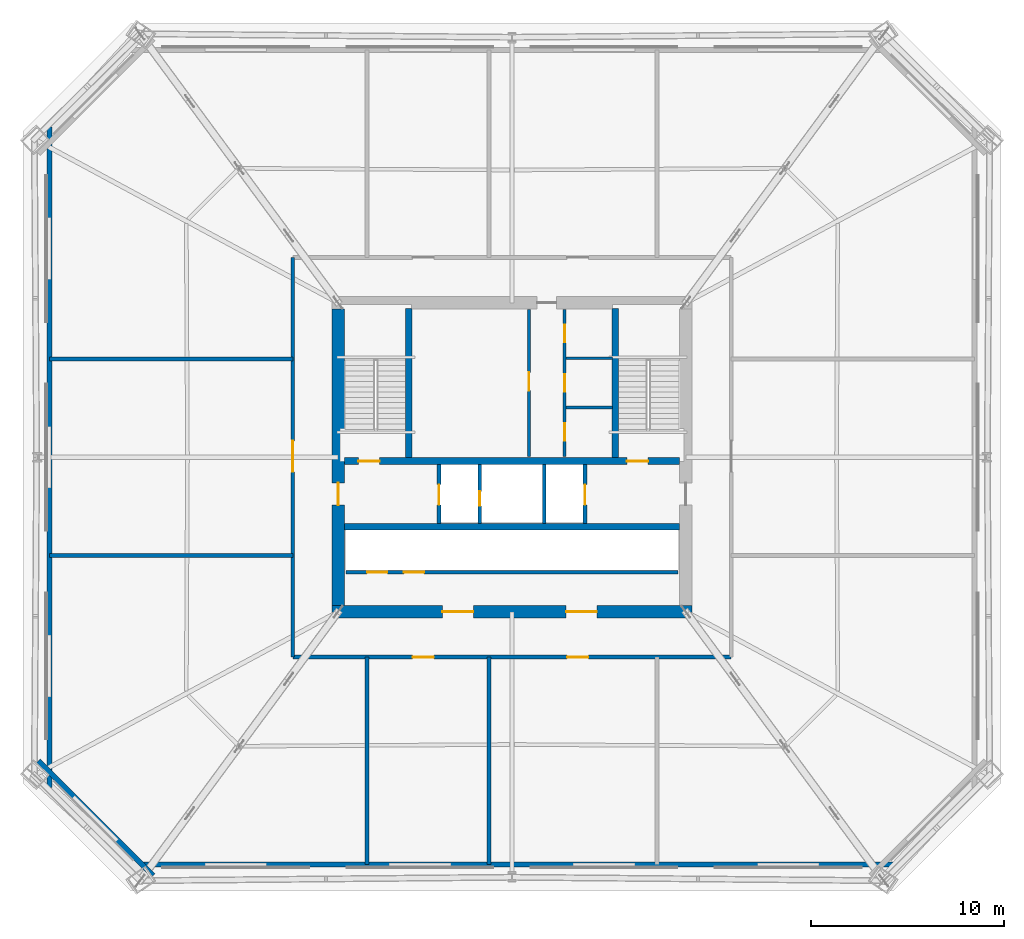
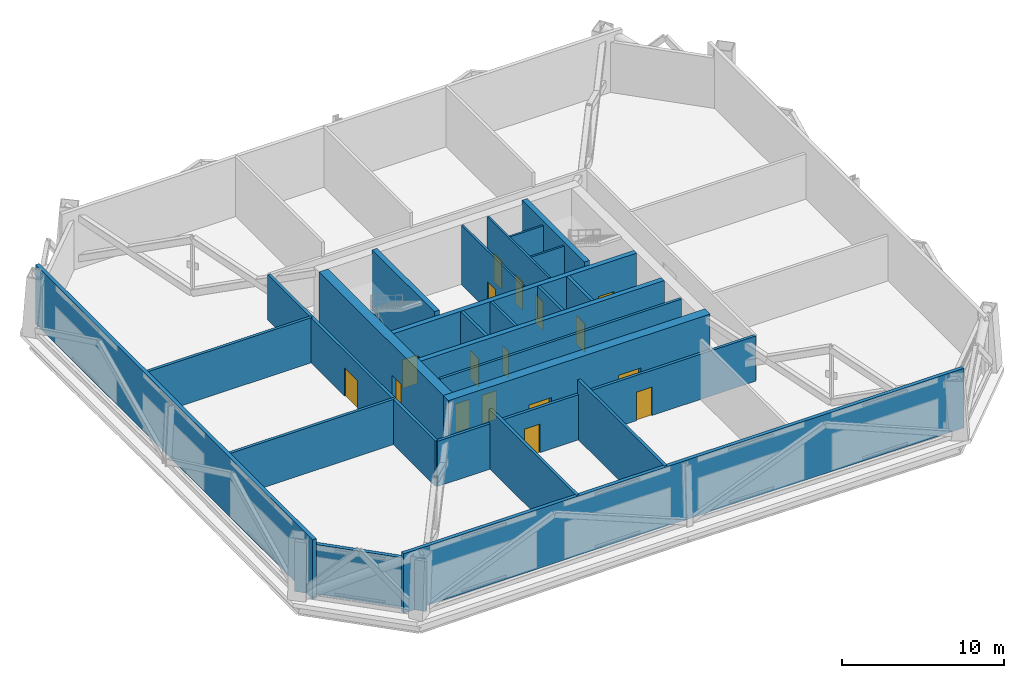
# One storey, part 11 of 14: 24 walls, 17 doors, 17 openings.
"""IFC4 building model written with IfcOpenShell, lengths in metres."""

from ifc_helpers import new_model, si_unit, direction, frame, frame_2d, origin, place, context, subcontext, project, spatial, rectangle, extrude, material, layer, layer_set, type_object, element, fill, save


model = new_model("IFC4")

# Units and contexts
model_context = context("Model", 3, precision=1e-05, world=origin(), true_north=direction((0.0, 1.0)))
body_context = subcontext(model_context, "Body", "Model", "MODEL_VIEW")
ifc_project = project(units=[si_unit("LENGTHUNIT", "METRE"), si_unit("AREAUNIT", "SQUARE_METRE"), si_unit("VOLUMEUNIT", "CUBIC_METRE"), si_unit("PLANEANGLEUNIT", "RADIAN"), si_unit("MASSUNIT", "GRAM", prefix="KILO")], contexts=[model_context])

# Site, building, storey
site_placement = place(None, origin())
site = spatial("IfcSite", under=ifc_project, at=site_placement, CompositionType="ELEMENT")
building_placement = place(site_placement, origin())
building = spatial("IfcBuilding", under=site, at=building_placement, Name="Caelvoria Tower", CompositionType="ELEMENT")
storey_placement = place(building_placement, frame((0.0, 0.0, 85.60009765625)))
storey = spatial("IfcBuildingStorey", under=building, at=storey_placement, Name="L22", CompositionType="ELEMENT", Elevation=85.60009765625)

# Wall, openings, doors
ifc_material_1 = material(Name="Concrete C50/60", Category="concrete")
ifc_layer_1 = layer(ifc_material_1, 0.35009765625, Name="Concrete C50/60")
ifc_layer_set_1 = layer_set([ifc_layer_1], Name="Core Internal Shear Wall 350 - Concrete C50/60")
wall_type_1 = type_object("IfcWallType", Name="Core Internal Shear Wall 350", PredefinedType="SHEAR", material=ifc_layer_set_1)
wall_1_placement = place(storey_placement, frame((37.324951171875, 31.800048828125, 0.0), z_axis=(0.0, 0.0, 1.0), x_axis=(1.0, 0.0, 0.0)))
wall_1 = element("IfcWall", 1, at=wall_1_placement, inside=storey, type_object=wall_type_1, Name="Core Shear Wall L22 M1", PredefinedType="SHEAR", context=body_context, shape_type="SweptSolid", body=[
    extrude(rectangle(XDim=17.35009765625, YDim=0.35009765625, at=frame_2d((8.675048828125, 0.0))), origin(), (0.0, 0.0, 1.0), 4.47998046875),
])
opening_1_placement = place(wall_1_placement, frame((0.72509765625, 0.0, 0.0)))
opening_1 = element("IfcOpeningElement", 2, at=opening_1_placement, cuts=wall_1, Name="Opening ID-01", PredefinedType="OPENING", context=body_context, shape_type="SweptSolid", body=[
    extrude(rectangle(XDim=1.10009765625, YDim=2.14990234375, at=frame_2d((0.550048828125, 1.074951171875))), frame((0.0, 0.18505859375, 0.0), z_axis=(0.0, -1.0, 0.0), x_axis=(1.0, 0.0, 0.0)), (0.0, 0.0, 1.0), 0.3701171875),
])
opening_2_placement = place(wall_1_placement, frame((14.625, 0.0, 0.0)))
opening_2 = element("IfcOpeningElement", 3, at=opening_2_placement, cuts=wall_1, Name="Opening ID-01", PredefinedType="OPENING", context=body_context, shape_type="SweptSolid", body=[
    extrude(rectangle(XDim=1.10009765625, YDim=2.14990234375, at=frame_2d((0.550048828125, 1.074951171875))), frame((0.0, 0.18505859375, 0.0), z_axis=(0.0, -1.0, 0.0), x_axis=(1.0, 0.0, 0.0)), (0.0, 0.0, 1.0), 0.3701171875),
])
ifc_material_2 = material(Name="Painted Hollow Steel Fire Door", Category="steel")
door_type_1 = type_object("IfcDoorType", Name="Fire Door FD90S 1100x2150", OperationType="NOTDEFINED", PredefinedType="DOOR", material=ifc_material_2)
door_1_placement = place(opening_1_placement, origin())
door_1 = element("IfcDoor", 4, at=door_1_placement, inside=storey, type_object=door_type_1, Name="Core Door DR-L22-ST1", OperationType="SINGLE_SWING_LEFT", OverallHeight=2.14990234375, OverallWidth=1.10009765625, PredefinedType="DOOR", context=body_context, shape_type="SweptSolid", body=[
    extrude(rectangle(XDim=1.10009765625, YDim=2.14990234375, at=frame_2d((0.550048828125, 1.074951171875))), frame((0.0, 0.02490234375, 0.0), z_axis=(0.0, -1.0, 0.0), x_axis=(1.0, 0.0, 0.0)), (0.0, 0.0, 1.0), 0.050048828125),
])
fill(opening_1, door_1)
door_2_placement = place(opening_2_placement, origin())
door_2 = element("IfcDoor", 5, at=door_2_placement, inside=storey, type_object=door_type_1, Name="Core Door DR-L22-ST2", OperationType="SINGLE_SWING_RIGHT", OverallHeight=2.14990234375, OverallWidth=1.10009765625, PredefinedType="DOOR", context=body_context, shape_type="SweptSolid", body=[
    extrude(rectangle(XDim=1.10009765625, YDim=2.14990234375, at=frame_2d((0.550048828125, 1.074951171875))), frame((0.0, 0.02490234375, 0.0), z_axis=(0.0, -1.0, 0.0), x_axis=(1.0, 0.0, 0.0)), (0.0, 0.0, 1.0), 0.050048828125),
])
fill(opening_2, door_2)

# Walls
wall_2_placement = place(storey_placement, frame((37.324951171875, 28.39990234375, 0.0), z_axis=(0.0, 0.0, 1.0), x_axis=(1.0, 0.0, 0.0)))
element("IfcWall", 6, at=wall_2_placement, inside=storey, type_object=wall_type_1, Name="Core Shear Wall L22 M2", PredefinedType="SHEAR", context=body_context, shape_type="SweptSolid", body=[
    extrude(rectangle(XDim=17.35009765625, YDim=0.35009765625, at=frame_2d((8.675048828125, 0.0))), origin(), (0.0, 0.0, 1.0), 4.47998046875),
])
for number, where, z_axis, x_axis, name in (
    (7, (40.64990234375, 32.0, 0.0), (0.0, 0.0, 1.0), (0.0, 1.0, 0.0), "Interior Partition IW-L22-ST1E"),
    (8, (51.35009765625, 32.0, 0.0), (0.0, 0.0, 1.0), (0.0, 1.0, 0.0), "Interior Partition IW-L22-ST2W"),
):
    element("IfcWall", number, at=place(storey_placement, frame(where, z_axis=z_axis, x_axis=x_axis)), inside=storey, type_object=wall_type_1, Name=name, PredefinedType="SHEAR", context=body_context, shape_type="SweptSolid", body=[
        extrude(rectangle(XDim=7.699951171875, YDim=0.35009765625, at=frame_2d((3.85009765625, 0.0))), origin(), (0.0, 0.0, 1.0), 4.7998046875),
    ])

# Wall, opening, door
ifc_material_3 = material(Name="Moisture-Resistant Gypsum on Steel Stud", Category="steel")
ifc_layer_2 = layer(ifc_material_3, 0.139892578125, Name="Moisture-Resistant Gypsum on Steel Stud")
ifc_layer_set_2 = layer_set([ifc_layer_2], Name="Core Sanitary Acoustic Partition Wall 140 - Moisture-Resistant Gypsum on Steel Stud")
wall_type_2 = type_object("IfcWallType", Name="Core Sanitary Acoustic Partition Wall 140", PredefinedType="PARTITIONING", material=ifc_layer_set_2)
wall_3_placement = place(storey_placement, frame((46.8798828125, 32.050048828125, 0.0), z_axis=(0.0, 0.0, 1.0), x_axis=(0.0, 1.0, 0.0)))
wall_3 = element("IfcWall", 9, at=wall_3_placement, inside=storey, type_object=wall_type_2, Name="Interior Partition IW-L22-C2L", PredefinedType="PARTITIONING", context=body_context, shape_type="SweptSolid", body=[
    extrude(rectangle(XDim=7.599853515625, YDim=0.139892578125, at=frame_2d((3.7998046875, 0.0))), origin(), (0.0, 0.0, 1.0), 4.47998046875),
])
opening_3_placement = place(wall_3_placement, frame((3.39990234375, 0.0, 0.0)))
opening_3 = element("IfcOpeningElement", 10, at=opening_3_placement, cuts=wall_3, Name="Opening ID-05", PredefinedType="OPENING", context=body_context, shape_type="SweptSolid", body=[
    extrude(rectangle(XDim=0.949951171875, YDim=2.14990234375, at=frame_2d((0.47509765625, 1.074951171875))), frame((0.0, 0.079833984375, 0.0), z_axis=(0.0, -1.0, 0.0), x_axis=(1.0, 0.0, 0.0)), (0.0, 0.0, 1.0), 0.159912109375),
])
ifc_material_4 = material(Name="Engineered Andean Oak Veneer Door", Category="wood")
door_type_2 = type_object("IfcDoorType", Name="Interior Timber Door 950x2150", OperationType="NOTDEFINED", PredefinedType="DOOR", material=ifc_material_4)
door_3_placement = place(opening_3_placement, origin())
door_3 = element("IfcDoor", 11, at=door_3_placement, inside=storey, type_object=door_type_2, Name="Interior Door DR-L22-C2W", OperationType="SINGLE_SWING_LEFT", OverallHeight=2.14990234375, OverallWidth=0.949951171875, PredefinedType="DOOR", context=body_context, shape_type="SweptSolid", body=[
    extrude(rectangle(XDim=0.949951171875, YDim=2.14990234375, at=frame_2d((0.47509765625, 1.074951171875))), frame((0.0, 0.02490234375, 0.0), z_axis=(0.0, -1.0, 0.0), x_axis=(1.0, 0.0, 0.0)), (0.0, 0.0, 1.0), 0.050048828125),
])
fill(opening_3, door_3)

# Wall, openings, doors
wall_4_placement = place(storey_placement, frame((48.719970703125, 32.050048828125, 0.0), z_axis=(0.0, 0.0, 1.0), x_axis=(0.0, 1.0, 0.0)))
wall_4 = element("IfcWall", 12, at=wall_4_placement, inside=storey, type_object=wall_type_2, Name="Interior Partition IW-L22-C2R", PredefinedType="PARTITIONING", context=body_context, shape_type="SweptSolid", body=[
    extrude(rectangle(XDim=7.599853515625, YDim=0.139892578125, at=frame_2d((3.7998046875, 0.0))), origin(), (0.0, 0.0, 1.0), 4.47998046875),
])
opening_4_placement = place(wall_4_placement, frame((0.800048828125, 0.0, 0.0)))
opening_4 = element("IfcOpeningElement", 13, at=opening_4_placement, cuts=wall_4, Name="Opening ID-04", PredefinedType="OPENING", context=body_context, shape_type="SweptSolid", body=[
    extrude(rectangle(XDim=0.89990234375, YDim=2.14990234375, at=frame_2d((0.449951171875, 1.074951171875))), frame((0.0, 0.079833984375, 0.0), z_axis=(0.0, -1.0, 0.0), x_axis=(1.0, 0.0, 0.0)), (0.0, 0.0, 1.0), 0.159912109375),
])
opening_5_placement = place(wall_4_placement, frame((3.35009765625, 0.0, 0.0)))
opening_5 = element("IfcOpeningElement", 14, at=opening_5_placement, cuts=wall_4, Name="Opening ID-06", PredefinedType="OPENING", context=body_context, shape_type="SweptSolid", body=[
    extrude(rectangle(XDim=0.89990234375, YDim=2.14990234375, at=frame_2d((0.449951171875, 1.074951171875))), frame((0.0, 0.079833984375, 0.0), z_axis=(0.0, -1.0, 0.0), x_axis=(1.0, 0.0, 0.0)), (0.0, 0.0, 1.0), 0.159912109375),
])
opening_6_placement = place(wall_4_placement, frame((5.89990234375, 0.0, 0.0)))
opening_6 = element("IfcOpeningElement", 15, at=opening_6_placement, cuts=wall_4, Name="Opening ID-07", PredefinedType="OPENING", context=body_context, shape_type="SweptSolid", body=[
    extrude(rectangle(XDim=0.919921875, YDim=2.14990234375, at=frame_2d((0.4599609375, 1.074951171875))), frame((0.0, 0.079833984375, 0.0), z_axis=(0.0, -1.0, 0.0), x_axis=(1.0, 0.0, 0.0)), (0.0, 0.0, 1.0), 0.159912109375),
])
ifc_material_5 = material(Name="Engineered Andean Oak Accessible Door", Category="wood")
door_type_3 = type_object("IfcDoorType", Name="Accessible WC Door 950x2150", OperationType="NOTDEFINED", PredefinedType="DOOR", material=ifc_material_5)
door_4_placement = place(opening_6_placement, origin())
door_4 = element("IfcDoor", 16, at=door_4_placement, inside=storey, type_object=door_type_3, Name="Interior Door DR-L22-C2E3", OperationType="SINGLE_SWING_RIGHT", OverallHeight=2.14990234375, OverallWidth=0.919921875, PredefinedType="DOOR", context=body_context, shape_type="SweptSolid", body=[
    extrude(rectangle(XDim=0.919921875, YDim=2.14990234375, at=frame_2d((0.4599609375, 1.074951171875))), frame((0.0, 0.02490234375, 0.0), z_axis=(0.0, -1.0, 0.0), x_axis=(1.0, 0.0, 0.0)), (0.0, 0.0, 1.0), 0.050048828125),
])
fill(opening_6, door_4)
ifc_material_6 = material(Name="Acoustic Timber Fire Door", Category="wood")
door_type_4 = type_object("IfcDoorType", Name="Fire Door FD30S 900x2150", OperationType="NOTDEFINED", PredefinedType="DOOR", material=ifc_material_6)
door_5_placement = place(opening_4_placement, origin())
door_5 = element("IfcDoor", 17, at=door_5_placement, inside=storey, type_object=door_type_4, Name="Interior Door DR-L22-C2E1", OperationType="SINGLE_SWING_RIGHT", OverallHeight=2.14990234375, OverallWidth=0.89990234375, PredefinedType="DOOR", context=body_context, shape_type="SweptSolid", body=[
    extrude(rectangle(XDim=0.89990234375, YDim=2.14990234375, at=frame_2d((0.449951171875, 1.074951171875))), frame((0.0, 0.02490234375, 0.0), z_axis=(0.0, -1.0, 0.0), x_axis=(1.0, 0.0, 0.0)), (0.0, 0.0, 1.0), 0.050048828125),
])
fill(opening_4, door_5)
door_type_5 = type_object("IfcDoorType", Name="Interior Timber Door 900x2150", OperationType="NOTDEFINED", PredefinedType="DOOR", material=ifc_material_4)
door_6_placement = place(opening_5_placement, origin())
door_6 = element("IfcDoor", 18, at=door_6_placement, inside=storey, type_object=door_type_5, Name="Interior Door DR-L22-C2E2", OperationType="SINGLE_SWING_LEFT", OverallHeight=2.14990234375, OverallWidth=0.89990234375, PredefinedType="DOOR", context=body_context, shape_type="SweptSolid", body=[
    extrude(rectangle(XDim=0.89990234375, YDim=2.14990234375, at=frame_2d((0.449951171875, 1.074951171875))), frame((0.0, 0.02490234375, 0.0), z_axis=(0.0, -1.0, 0.0), x_axis=(1.0, 0.0, 0.0)), (0.0, 0.0, 1.0), 0.050048828125),
])
fill(opening_5, door_6)

# Walls
for number, where, z_axis, x_axis, name in (
    (19, (48.800048828125, 34.580078125, 0.0), (0.0, 0.0, 1.0), (1.0, 0.0, 0.0), "Interior Partition IW-L22-C2H1"),
    (20, (48.800048828125, 37.1201171875, 0.0), (0.0, 0.0, 1.0), (1.0, 0.0, 0.0), "Interior Partition IW-L22-C2H2"),
):
    element("IfcWall", number, at=place(storey_placement, frame(where, z_axis=z_axis, x_axis=x_axis)), inside=storey, type_object=wall_type_2, Name=name, PredefinedType="PARTITIONING", context=body_context, shape_type="SweptSolid", body=[
        extrude(rectangle(XDim=2.39990234375, YDim=0.139892578125, at=frame_2d((1.199951171875, 0.0))), origin(), (0.0, 0.0, 1.0), 4.47998046875),
    ])

# Wall, opening, door
ifc_material_7 = material(Name="Concrete Block and Fireboard Assembly", Category="concrete")
ifc_layer_3 = layer(ifc_material_7, 0.179931640625, Name="Concrete Block and Fireboard Assembly")
ifc_layer_set_3 = layer_set([ifc_layer_3], Name="Fire-Rated Hoistway Partition Wall 180 - Concrete Block and Fireboard Assembly")
wall_type_3 = type_object("IfcWallType", Name="Fire-Rated Hoistway Partition Wall 180", PredefinedType="PARTITIONING", material=ifc_layer_set_3)
wall_5_placement = place(storey_placement, frame((44.320068359375, 28.580078125, 0.0), z_axis=(0.0, 0.0, 1.0), x_axis=(0.0, 1.0, 0.0)))
wall_5 = element("IfcWall", 21, at=wall_5_placement, inside=storey, type_object=wall_type_3, Name="Interior Partition IW-L22-SV1W", PredefinedType="PARTITIONING", context=body_context, shape_type="SweptSolid", body=[
    extrude(rectangle(XDim=3.0400390625, YDim=0.179931640625, at=frame_2d((1.52001953125, 0.0))), origin(), (0.0, 0.0, 1.0), 4.47998046875),
])
opening_7_placement = place(wall_5_placement, frame((0.89990234375, 0.0, 0.0)))
opening_7 = element("IfcOpeningElement", 22, at=opening_7_placement, cuts=wall_5, Name="Opening TD-01", PredefinedType="OPENING", context=body_context, shape_type="SweptSolid", body=[
    extrude(rectangle(XDim=0.75, YDim=2.0, at=frame_2d((0.375, 1.0))), frame((0.0, 0.099853515625, 0.0), z_axis=(0.0, -1.0, 0.0), x_axis=(1.0, 0.0, 0.0)), (0.0, 0.0, 1.0), 0.199951171875),
])
ifc_material_8 = material(Name="Insulated Steel Service Access Trapdoor", Category="steel")
door_type_6 = type_object("IfcDoorType", Name="Riser Maintenance Access Trapdoor 750x1850", OperationType="NOTDEFINED", PredefinedType="TRAPDOOR", material=ifc_material_8)
door_7_placement = place(opening_7_placement, origin())
door_7 = element("IfcDoor", 23, at=door_7_placement, inside=storey, type_object=door_type_6, Name="Wet Riser Access Trapdoor L22", OperationType="SINGLE_SWING_LEFT", OverallHeight=2.0, OverallWidth=0.75, PredefinedType="TRAPDOOR", context=body_context, shape_type="SweptSolid", body=[
    extrude(rectangle(XDim=0.75, YDim=2.0, at=frame_2d((0.375, 1.0))), frame((0.0, 0.02490234375, 0.0), z_axis=(0.0, -1.0, 0.0), x_axis=(1.0, 0.0, 0.0)), (0.0, 0.0, 1.0), 0.050048828125),
])
fill(opening_7, door_7)

# Wall
wall_6_placement = place(storey_placement, frame((47.679931640625, 28.580078125, 0.0), z_axis=(0.0, 0.0, 1.0), x_axis=(0.0, 1.0, 0.0)))
element("IfcWall", 24, at=wall_6_placement, inside=storey, type_object=wall_type_3, Name="Interior Partition IW-L22-SV1E", PredefinedType="PARTITIONING", context=body_context, shape_type="SweptSolid", body=[
    extrude(rectangle(XDim=3.0400390625, YDim=0.179931640625, at=frame_2d((1.52001953125, 0.0))), origin(), (0.0, 0.0, 1.0), 4.47998046875),
])

# Wall, openings, doors
wall_7_placement = place(storey_placement, frame((37.39990234375, 26.050048828125, 0.0), z_axis=(0.0, 0.0, 1.0), x_axis=(1.0, 0.0, 0.0)))
wall_7 = element("IfcWall", 25, at=wall_7_placement, inside=storey, type_object=wall_type_3, Name="Interior Partition IW-L22-LFRONT", PredefinedType="PARTITIONING", context=body_context, shape_type="SweptSolid", body=[
    extrude(rectangle(XDim=17.2001953125, YDim=0.179931640625, at=frame_2d((8.60009765625, 0.0))), origin(), (0.0, 0.0, 1.0), 4.47998046875),
])
opening_8_placement = place(wall_7_placement, frame((1.10009765625, 0.0, 0.0)))
opening_8 = element("IfcOpeningElement", 26, at=opening_8_placement, cuts=wall_7, Name="Opening LD-01", PredefinedType="OPENING", context=body_context, shape_type="SweptSolid", body=[
    extrude(rectangle(XDim=1.050048828125, YDim=2.14990234375, at=frame_2d((0.52490234375, 1.074951171875))), frame((0.0, 0.099853515625, 0.0), z_axis=(0.0, -1.0, 0.0), x_axis=(1.0, 0.0, 0.0)), (0.0, 0.0, 1.0), 0.199951171875),
])
opening_9_placement = place(wall_7_placement, frame((3.0, 0.0, 0.0)))
opening_9 = element("IfcOpeningElement", 27, at=opening_9_placement, cuts=wall_7, Name="Opening LD-01", PredefinedType="OPENING", context=body_context, shape_type="SweptSolid", body=[
    extrude(rectangle(XDim=1.050048828125, YDim=2.14990234375, at=frame_2d((0.52490234375, 1.074951171875))), frame((0.0, 0.099853515625, 0.0), z_axis=(0.0, -1.0, 0.0), x_axis=(1.0, 0.0, 0.0)), (0.0, 0.0, 1.0), 0.199951171875),
])
ifc_material_9 = material(Name="Brushed Bronze Stainless Sliding Landing Door", Category="aluminium")
door_type_7 = type_object("IfcDoorType", Name="Lift Landing Sliding Door 1100x2150", OperationType="NOTDEFINED", PredefinedType="DOOR", material=ifc_material_9)
door_8_placement = place(opening_8_placement, origin())
door_8 = element("IfcDoor", 28, at=door_8_placement, inside=storey, type_object=door_type_7, Name="Interior Door LD-L22-PL1", OperationType="SLIDING_TO_LEFT", OverallHeight=2.14990234375, OverallWidth=1.050048828125, PredefinedType="DOOR", context=body_context, shape_type="SweptSolid", body=[
    extrude(rectangle(XDim=1.050048828125, YDim=2.14990234375, at=frame_2d((0.52490234375, 1.074951171875))), frame((0.0, 0.02490234375, 0.0), z_axis=(0.0, -1.0, 0.0), x_axis=(1.0, 0.0, 0.0)), (0.0, 0.0, 1.0), 0.050048828125),
])
fill(opening_8, door_8)
door_9_placement = place(opening_9_placement, origin())
door_9 = element("IfcDoor", 29, at=door_9_placement, inside=storey, type_object=door_type_7, Name="Interior Door LD-L22-PL2", OperationType="SLIDING_TO_RIGHT", OverallHeight=2.14990234375, OverallWidth=1.050048828125, PredefinedType="DOOR", context=body_context, shape_type="SweptSolid", body=[
    extrude(rectangle(XDim=1.050048828125, YDim=2.14990234375, at=frame_2d((0.52490234375, 1.074951171875))), frame((0.0, 0.02490234375, 0.0), z_axis=(0.0, -1.0, 0.0), x_axis=(1.0, 0.0, 0.0)), (0.0, 0.0, 1.0), 0.050048828125),
])
fill(opening_9, door_9)

# Wall, opening, door
ifc_layer_4 = layer(ifc_material_7, 0.199951171875, Name="Concrete Block and Fireboard Assembly")
ifc_layer_set_4 = layer_set([ifc_layer_4], Name="Fire-Rated Shaft and Core Partition Wall 200 - Concrete Block and Fireboard Assembly")
wall_type_4 = type_object("IfcWallType", Name="Fire-Rated Shaft and Core Partition Wall 200", PredefinedType="PARTITIONING", material=ifc_layer_set_4)
wall_8_placement = place(storey_placement, frame((42.219970703125, 28.580078125, 0.0), z_axis=(0.0, 0.0, 1.0), x_axis=(0.0, 1.0, 0.0)))
wall_8 = element("IfcWall", 30, at=wall_8_placement, inside=storey, type_object=wall_type_4, Name="Interior Partition IW-L22-LF1W", PredefinedType="PARTITIONING", context=body_context, shape_type="SweptSolid", body=[
    extrude(rectangle(XDim=3.0400390625, YDim=0.199951171875, at=frame_2d((1.52001953125, 0.0))), origin(), (0.0, 0.0, 1.0), 4.47998046875),
])
opening_10_placement = place(wall_8_placement, frame((0.949951171875, 0.0, 0.0)))
opening_10 = element("IfcOpeningElement", 31, at=opening_10_placement, cuts=wall_8, Name="Opening LD-01", PredefinedType="OPENING", context=body_context, shape_type="SweptSolid", body=[
    extrude(rectangle(XDim=1.050048828125, YDim=2.14990234375, at=frame_2d((0.52490234375, 1.074951171875))), frame((0.0, 0.10986328125, 0.0), z_axis=(0.0, -1.0, 0.0), x_axis=(1.0, 0.0, 0.0)), (0.0, 0.0, 1.0), 0.219970703125),
])
door_10_placement = place(opening_10_placement, origin())
door_10 = element("IfcDoor", 32, at=door_10_placement, inside=storey, type_object=door_type_7, Name="Interior Door LD-L22-LF1", OperationType="SLIDING_TO_LEFT", OverallHeight=2.14990234375, OverallWidth=1.050048828125, PredefinedType="DOOR", context=body_context, shape_type="SweptSolid", body=[
    extrude(rectangle(XDim=1.050048828125, YDim=2.14990234375, at=frame_2d((0.52490234375, 1.074951171875))), frame((0.0, 0.02490234375, 0.0), z_axis=(0.0, -1.0, 0.0), x_axis=(1.0, 0.0, 0.0)), (0.0, 0.0, 1.0), 0.050048828125),
])
fill(opening_10, door_10)

wall_9_placement = place(storey_placement, frame((49.780029296875, 28.580078125, 0.0), z_axis=(0.0, 0.0, 1.0), x_axis=(0.0, 1.0, 0.0)))
wall_9 = element("IfcWall", 33, at=wall_9_placement, inside=storey, type_object=wall_type_4, Name="Interior Partition IW-L22-LF2E", PredefinedType="PARTITIONING", context=body_context, shape_type="SweptSolid", body=[
    extrude(rectangle(XDim=3.0400390625, YDim=0.199951171875, at=frame_2d((1.52001953125, 0.0))), origin(), (0.0, 0.0, 1.0), 4.47998046875),
])
opening_11_placement = place(wall_9_placement, frame((0.949951171875, 0.0, 0.0)))
opening_11 = element("IfcOpeningElement", 34, at=opening_11_placement, cuts=wall_9, Name="Opening LD-01", PredefinedType="OPENING", context=body_context, shape_type="SweptSolid", body=[
    extrude(rectangle(XDim=1.050048828125, YDim=2.14990234375, at=frame_2d((0.52490234375, 1.074951171875))), frame((0.0, 0.10986328125, 0.0), z_axis=(0.0, -1.0, 0.0), x_axis=(1.0, 0.0, 0.0)), (0.0, 0.0, 1.0), 0.219970703125),
])
door_11_placement = place(opening_11_placement, origin())
door_11 = element("IfcDoor", 35, at=door_11_placement, inside=storey, type_object=door_type_7, Name="Interior Door LD-L22-LF2", OperationType="SLIDING_TO_RIGHT", OverallHeight=2.14990234375, OverallWidth=1.050048828125, PredefinedType="DOOR", context=body_context, shape_type="SweptSolid", body=[
    extrude(rectangle(XDim=1.050048828125, YDim=2.14990234375, at=frame_2d((0.52490234375, 1.074951171875))), frame((0.0, 0.02490234375, 0.0), z_axis=(0.0, -1.0, 0.0), x_axis=(1.0, 0.0, 0.0)), (0.0, 0.0, 1.0), 0.050048828125),
])
fill(opening_11, door_11)

# Walls
for number, where, z_axis, x_axis, name in (
    (36, (44.800048828125, 10.913330078125, 0.0), (0.0, 0.0, 1.0), (0.0, 1.0, 0.0), "Interior Partition IW-L22-PLT-SM"),
    (37, (38.5, 10.913330078125, 0.0), (0.0, 0.0, 1.0), (0.0, 1.0, 0.0), "Interior Partition IW-L22-OCH-SWS"),
):
    element("IfcWall", number, at=place(storey_placement, frame(where, z_axis=z_axis, x_axis=x_axis)), inside=storey, type_object=wall_type_4, Name=name, PredefinedType="PARTITIONING", context=body_context, shape_type="SweptSolid", body=[
        extrude(rectangle(XDim=10.736572265625, YDim=0.199951171875, at=frame_2d((5.3681640625, 0.0))), origin(), (0.0, 0.0, 1.0), 4.47998046875),
    ])

# Wall, openings, doors
wall_10_placement = place(storey_placement, frame((34.64990234375, 21.64990234375, 0.0), z_axis=(0.0, 0.0, 1.0), x_axis=(1.0, 0.0, 0.0)))
wall_10 = element("IfcWall", 38, at=wall_10_placement, inside=storey, type_object=wall_type_4, Name="Interior Partition IW-L22-CRS", PredefinedType="PARTITIONING", context=body_context, shape_type="SweptSolid", body=[
    extrude(rectangle(XDim=22.7001953125, YDim=0.199951171875, at=frame_2d((11.35009765625, 0.0))), origin(), (0.0, 0.0, 1.0), 3.409912109375),
])
opening_12_placement = place(wall_10_placement, frame((6.199951171875, 0.0, 0.0)))
opening_12 = element("IfcOpeningElement", 39, at=opening_12_placement, cuts=wall_10, Name="Opening ID-01", PredefinedType="OPENING", context=body_context, shape_type="SweptSolid", body=[
    extrude(rectangle(XDim=1.10009765625, YDim=2.14990234375, at=frame_2d((0.550048828125, 1.074951171875))), frame((0.0, 0.10986328125, 0.0), z_axis=(0.0, -1.0, 0.0), x_axis=(1.0, 0.0, 0.0)), (0.0, 0.0, 1.0), 0.219970703125),
])
opening_13_placement = place(wall_10_placement, frame((14.199951171875, 0.0, 0.0)))
opening_13 = element("IfcOpeningElement", 40, at=opening_13_placement, cuts=wall_10, Name="Opening ID-01", PredefinedType="OPENING", context=body_context, shape_type="SweptSolid", body=[
    extrude(rectangle(XDim=1.10009765625, YDim=2.14990234375, at=frame_2d((0.550048828125, 1.074951171875))), frame((0.0, 0.10986328125, 0.0), z_axis=(0.0, -1.0, 0.0), x_axis=(1.0, 0.0, 0.0)), (0.0, 0.0, 1.0), 0.219970703125),
])
door_12_placement = place(opening_12_placement, origin())
door_12 = element("IfcDoor", 41, at=door_12_placement, inside=storey, type_object=door_type_1, Name="Interior Door DR-L22-PLTS1", OperationType="SINGLE_SWING_LEFT", OverallHeight=2.14990234375, OverallWidth=1.10009765625, PredefinedType="DOOR", context=body_context, shape_type="SweptSolid", body=[
    extrude(rectangle(XDim=1.10009765625, YDim=2.14990234375, at=frame_2d((0.550048828125, 1.074951171875))), frame((0.0, 0.02490234375, 0.0), z_axis=(0.0, -1.0, 0.0), x_axis=(1.0, 0.0, 0.0)), (0.0, 0.0, 1.0), 0.050048828125),
])
fill(opening_12, door_12)
door_13_placement = place(opening_13_placement, origin())
door_13 = element("IfcDoor", 42, at=door_13_placement, inside=storey, type_object=door_type_1, Name="Interior Door DR-L22-PLTS2", OperationType="SINGLE_SWING_RIGHT", OverallHeight=2.14990234375, OverallWidth=1.10009765625, PredefinedType="DOOR", context=body_context, shape_type="SweptSolid", body=[
    extrude(rectangle(XDim=1.10009765625, YDim=2.14990234375, at=frame_2d((0.550048828125, 1.074951171875))), frame((0.0, 0.02490234375, 0.0), z_axis=(0.0, -1.0, 0.0), x_axis=(1.0, 0.0, 0.0)), (0.0, 0.0, 1.0), 0.050048828125),
])
fill(opening_13, door_13)

# Wall, opening, door
wall_11_placement = place(storey_placement, frame((34.64990234375, 21.64990234375, 0.0), z_axis=(0.0, 0.0, 1.0), x_axis=(0.0, 1.0, 0.0)))
wall_11 = element("IfcWall", 43, at=wall_11_placement, inside=storey, type_object=wall_type_4, Name="Interior Partition IW-L22-CRW", PredefinedType="PARTITIONING", context=body_context, shape_type="SweptSolid", body=[
    extrude(rectangle(XDim=20.7001953125, YDim=0.199951171875, at=frame_2d((10.35009765625, 0.0))), origin(), (0.0, 0.0, 1.0), 3.409912109375),
])
opening_14_placement = place(wall_11_placement, frame((9.60009765625, 0.0, 0.0)))
opening_14 = element("IfcOpeningElement", 44, at=opening_14_placement, cuts=wall_11, Name="Opening ID-08", PredefinedType="OPENING", context=body_context, shape_type="SweptSolid", body=[
    extrude(rectangle(XDim=1.60009765625, YDim=2.14990234375, at=frame_2d((0.800048828125, 1.074951171875))), frame((0.0, 0.10986328125, 0.0), z_axis=(0.0, -1.0, 0.0), x_axis=(1.0, 0.0, 0.0)), (0.0, 0.0, 1.0), 0.219970703125),
])
ifc_material_10 = material(Name="Bronze-Framed Fire-Rated Glazed Double Door", Category="aluminium")
door_type_8 = type_object("IfcDoorType", Name="Double Lobby Glazed Door 1600x2200", OperationType="NOTDEFINED", PredefinedType="DOOR", material=ifc_material_10)
door_14_placement = place(opening_14_placement, origin())
door_14 = element("IfcDoor", 45, at=door_14_placement, inside=storey, type_object=door_type_8, Name="Interior Door DR-L22-REFW", OperationType="DOUBLE_DOOR_SINGLE_SWING", OverallHeight=2.14990234375, OverallWidth=1.60009765625, PredefinedType="DOOR", context=body_context, shape_type="SweptSolid", body=[
    extrude(rectangle(XDim=1.60009765625, YDim=2.14990234375, at=frame_2d((0.800048828125, 1.074951171875))), frame((0.0, 0.02490234375, 0.0), z_axis=(0.0, -1.0, 0.0), x_axis=(1.0, 0.0, 0.0)), (0.0, 0.0, 1.0), 0.050048828125),
])
fill(opening_14, door_14)

# Walls
for number, where, z_axis, x_axis, name in (
    (46, (22.046630859375, 26.919921875, 0.0), (0.0, 0.0, 1.0), (1.0, 0.0, 0.0), "Interior Partition IW-L22-RSEP-WS"),
    (47, (22.046630859375, 37.080078125, 0.0), (0.0, 0.0, 1.0), (1.0, 0.0, 0.0), "Interior Partition IW-L22-RSEP-WN"),
):
    element("IfcWall", number, at=place(storey_placement, frame(where, z_axis=z_axis, x_axis=x_axis)), inside=storey, type_object=wall_type_4, Name=name, PredefinedType="PARTITIONING", context=body_context, shape_type="SweptSolid", body=[
        extrude(rectangle(XDim=12.603271484375, YDim=0.199951171875, at=frame_2d((6.3017578125, 0.0))), origin(), (0.0, 0.0, 1.0), 3.409912109375),
    ])

# Wall, openings, doors
ifc_material_11 = material(Name="Concrete C60/75", Category="concrete")
ifc_layer_5 = layer(ifc_material_11, 0.64990234375, Name="Concrete C60/75")
ifc_layer_set_5 = layer_set([ifc_layer_5], Name="Lower Core Shear Wall 650 - Concrete C60/75")
wall_type_5 = type_object("IfcWallType", Name="Lower Core Shear Wall 650", PredefinedType="SHEAR", material=ifc_layer_set_5)
wall_12_placement = place(storey_placement, frame((36.675048828125, 24.0, 0.0), z_axis=(0.0, 0.0, 1.0), x_axis=(1.0, 0.0, 0.0)))
wall_12 = element("IfcWall", 48, at=wall_12_placement, inside=storey, type_object=wall_type_5, Name="Core Shear Wall L22 S", PredefinedType="SHEAR", context=body_context, shape_type="SweptSolid", body=[
    extrude(rectangle(XDim=18.64990234375, YDim=0.64990234375, at=frame_2d((9.324951171875, 0.0))), origin(), (0.0, 0.0, 1.0), 4.47998046875),
])
opening_15_placement = place(wall_12_placement, frame((5.72509765625, 0.0, 0.0)))
opening_15 = element("IfcOpeningElement", 49, at=opening_15_placement, cuts=wall_12, Name="Opening ID-08", PredefinedType="OPENING", context=body_context, shape_type="SweptSolid", body=[
    extrude(rectangle(XDim=1.60009765625, YDim=2.14990234375, at=frame_2d((0.800048828125, 1.074951171875))), frame((0.0, 0.3349609375, 0.0), z_axis=(0.0, -1.0, 0.0), x_axis=(1.0, 0.0, 0.0)), (0.0, 0.0, 1.0), 0.669921875),
])
opening_16_placement = place(wall_12_placement, frame((12.125, 0.0, 0.0)))
opening_16 = element("IfcOpeningElement", 50, at=opening_16_placement, cuts=wall_12, Name="Opening ID-08", PredefinedType="OPENING", context=body_context, shape_type="SweptSolid", body=[
    extrude(rectangle(XDim=1.60009765625, YDim=2.14990234375, at=frame_2d((0.800048828125, 1.074951171875))), frame((0.0, 0.3349609375, 0.0), z_axis=(0.0, -1.0, 0.0), x_axis=(1.0, 0.0, 0.0)), (0.0, 0.0, 1.0), 0.669921875),
])
door_15_placement = place(opening_15_placement, origin())
door_15 = element("IfcDoor", 51, at=door_15_placement, inside=storey, type_object=door_type_8, Name="Core Door DR-L22-LLOB-S1", OperationType="DOUBLE_DOOR_SINGLE_SWING", OverallHeight=2.14990234375, OverallWidth=1.60009765625, PredefinedType="DOOR", context=body_context, shape_type="SweptSolid", body=[
    extrude(rectangle(XDim=1.60009765625, YDim=2.14990234375, at=frame_2d((0.800048828125, 1.074951171875))), frame((0.0, 0.02490234375, 0.0), z_axis=(0.0, -1.0, 0.0), x_axis=(1.0, 0.0, 0.0)), (0.0, 0.0, 1.0), 0.050048828125),
])
fill(opening_15, door_15)
door_16_placement = place(opening_16_placement, origin())
door_16 = element("IfcDoor", 52, at=door_16_placement, inside=storey, type_object=door_type_8, Name="Core Door DR-L22-LLOB-S2", OperationType="DOUBLE_DOOR_SINGLE_SWING", OverallHeight=2.14990234375, OverallWidth=1.60009765625, PredefinedType="DOOR", context=body_context, shape_type="SweptSolid", body=[
    extrude(rectangle(XDim=1.60009765625, YDim=2.14990234375, at=frame_2d((0.800048828125, 1.074951171875))), frame((0.0, 0.02490234375, 0.0), z_axis=(0.0, -1.0, 0.0), x_axis=(1.0, 0.0, 0.0)), (0.0, 0.0, 1.0), 0.050048828125),
])
fill(opening_16, door_16)

# Wall, opening, door
wall_13_placement = place(storey_placement, frame((37.0, 24.324951171875, 0.0), z_axis=(0.0, 0.0, 1.0), x_axis=(0.0, 1.0, 0.0)))
wall_13 = element("IfcWall", 53, at=wall_13_placement, inside=storey, type_object=wall_type_5, Name="Core Shear Wall L22 W", PredefinedType="SHEAR", context=body_context, shape_type="SweptSolid", body=[
    extrude(rectangle(XDim=15.35009765625, YDim=0.64990234375, at=frame_2d((7.675048828125, 0.0))), origin(), (0.0, 0.0, 1.0), 4.47998046875),
])
opening_17_placement = place(wall_13_placement, frame((5.199951171875, 0.0, 0.0)))
opening_17 = element("IfcOpeningElement", 54, at=opening_17_placement, cuts=wall_13, Name="Opening ID-02", PredefinedType="OPENING", context=body_context, shape_type="SweptSolid", body=[
    extrude(rectangle(XDim=1.14990234375, YDim=2.14990234375, at=frame_2d((0.574951171875, 1.074951171875))), frame((0.0, 0.3349609375, 0.0), z_axis=(0.0, -1.0, 0.0), x_axis=(1.0, 0.0, 0.0)), (0.0, 0.0, 1.0), 0.669921875),
])
door_type_9 = type_object("IfcDoorType", Name="Fire Door FD60S 1150x2150", OperationType="NOTDEFINED", PredefinedType="DOOR", material=ifc_material_2)
door_17_placement = place(opening_17_placement, origin())
door_17 = element("IfcDoor", 55, at=door_17_placement, inside=storey, type_object=door_type_9, Name="Core Door DR-L22-FFLW-OUT", OperationType="SINGLE_SWING_LEFT", OverallHeight=2.14990234375, OverallWidth=1.14990234375, PredefinedType="DOOR", context=body_context, shape_type="SweptSolid", body=[
    extrude(rectangle(XDim=1.14990234375, YDim=2.14990234375, at=frame_2d((0.574951171875, 1.074951171875))), frame((0.0, 0.02490234375, 0.0), z_axis=(0.0, -1.0, 0.0), x_axis=(1.0, 0.0, 0.0)), (0.0, 0.0, 1.0), 0.050048828125),
])
fill(opening_17, door_17)

# Walls
ifc_material_12 = material(Name="Precast Concrete C40/50", Category="concrete")
ifc_layer_6 = layer(ifc_material_12, 0.260009765625, Name="Precast Concrete C40/50")
ifc_layer_set_6 = layer_set([ifc_layer_6], Name="Plant Room Acoustic Louvred Facade Wall 260 - Precast Concrete C40/50")
wall_type_6 = type_object("IfcWallType", Name="Plant Room Acoustic Louvred Facade Wall 260", PredefinedType="STANDARD", material=ifc_layer_set_6)
wall_14_placement = place(storey_placement, frame((26.026611328125, 10.913330078125, 0.0), z_axis=(0.0, 0.0, 1.0), x_axis=(1.0, 0.0, 0.0)))
element("IfcWall", 56, at=wall_14_placement, inside=storey, type_object=wall_type_6, Name="Exterior Facade Wall L22-E0", PredefinedType="STANDARD", context=body_context, shape_type="SweptSolid", body=[
    extrude(rectangle(XDim=39.94677734375, YDim=0.260009765625, at=frame_2d((19.973388671875, 0.0))), origin(), (0.0, 0.0, 1.0), 4.47998046875),
])
wall_15_placement = place(storey_placement, frame((22.046630859375, 49.106689453125, 0.0), z_axis=(0.0, 0.0, 1.0), x_axis=(0.0, -1.0, 0.0)))
element("IfcWall", 57, at=wall_15_placement, inside=storey, type_object=wall_type_6, Name="Exterior Facade Wall L22-E6", PredefinedType="STANDARD", context=body_context, shape_type="SweptSolid", body=[
    extrude(rectangle(XDim=34.21337890625, YDim=0.260009765625, at=frame_2d((17.106689453125, 0.0))), origin(), (0.0, 0.0, 1.0), 4.47998046875),
])
wall_16_placement = place(storey_placement, frame((21.472900390625, 16.27880859375, 0.0), z_axis=(0.0, 0.0, 1.0), x_axis=(0.707092247962, -0.707121314113, 0.0)))
element("IfcWall", 58, at=wall_16_placement, inside=storey, type_object=wall_type_6, Name="Exterior Facade Wall L22-E7", PredefinedType="STANDARD", context=body_context, shape_type="SweptSolid", body=[
    extrude(rectangle(XDim=8.3994140625, YDim=0.260009765625, at=frame_2d((4.19970703125, 0.0))), origin(), (0.0, 0.0, 1.0), 3.781982421875),
])

save(model, "model.ifc")
